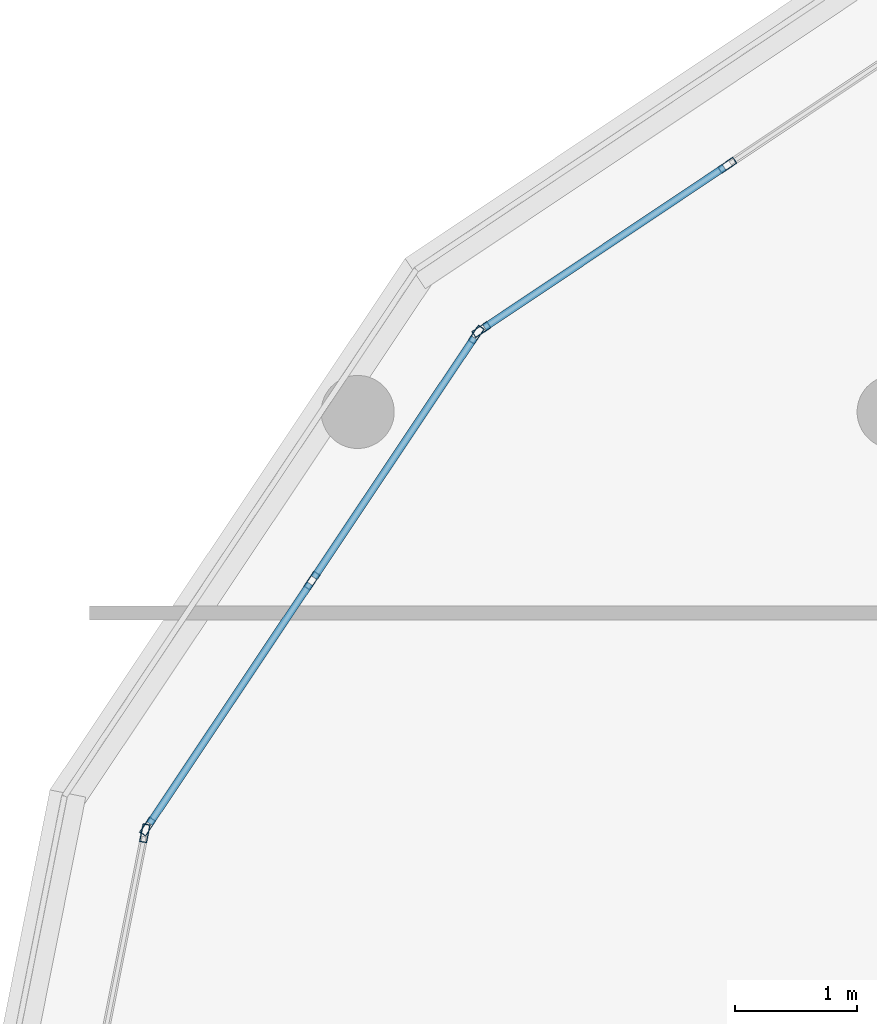
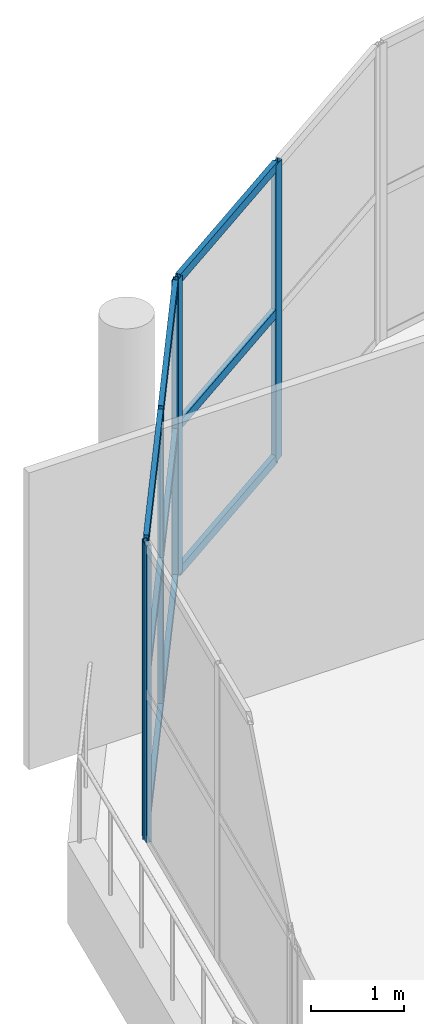
# One storey, part 8 of 63: 15 members, 3 elements without a shape of their own.
"""IFC4 building model written with IfcOpenShell, lengths in metres."""

from ifc_helpers import new_model, si_unit, direction, frame, origin, origin_2d, place, context, subcontext, project, spatial, hollow_rectangle, extrude, material, layer, layer_set, material_profile, profile_set, type_object, element, aggregate, save


model = new_model("IFC4")

# Units and contexts
model_context = context("Model", 3, precision=1e-05, world=origin(), true_north=direction((0.0, 1.0)))
body_context = subcontext(model_context, "Body", "Model", "MODEL_VIEW")
ifc_project = project(units=[si_unit("LENGTHUNIT", "METRE"), si_unit("AREAUNIT", "SQUARE_METRE"), si_unit("VOLUMEUNIT", "CUBIC_METRE"), si_unit("PLANEANGLEUNIT", "RADIAN"), si_unit("MASSUNIT", "GRAM", prefix="KILO")], contexts=[model_context])

# Site, building, storey
site_placement = place(None, origin())
site = spatial("IfcSite", under=ifc_project, at=site_placement, CompositionType="ELEMENT")
building_placement = place(site_placement, origin())
building = spatial("IfcBuilding", under=site, at=building_placement, Name="Zizhar Promenade General Hospital", CompositionType="ELEMENT")
storey_placement = place(building_placement, frame((0.0, 0.0, 18.0)))
storey = spatial("IfcBuildingStorey", under=building, at=storey_placement, Name="L04", CompositionType="ELEMENT", Elevation=18.0)

# Curtain wall, members
ifc_material_1 = material(Name="Anodised aluminium 6063-T6 and low-E glass", Category="aluminium")
ifc_layer = layer(ifc_material_1, 0.159912109375)
ifc_layer_set = layer_set([ifc_layer], Name="Anodised aluminium 6063-T6 and low-E glass")
curtain_wall_type = type_object("IfcCurtainWallType", Name="CW-WARD-ARC", PredefinedType="NOTDEFINED", material=ifc_layer_set)
curtain_wall_1_placement = place(storey_placement, origin())
curtain_wall_1 = element("IfcCurtainWall", 1, at=curtain_wall_1_placement, inside=storey, type_object=curtain_wall_type, Name="Ward Semicircular End Glazing L04-11", PredefinedType="NOTDEFINED")
ifc_material_2 = material(Name="Anodised aluminium 6063-T6", Category="aluminium")
ifc_material_profile_1 = material_profile(ifc_material_2, hollow_rectangle(XDim=0.06005859375, YDim=0.14990234375, WallThickness=0.00390625, at=origin_2d()))
ifc_profile_set_1 = profile_set([ifc_material_profile_1], Name="Anodised aluminium 6063-T6")
member_type_1 = type_object("IfcMemberType", Name="CWM-ALU-150x60", PredefinedType="MULLION", material=ifc_profile_set_1)
member_1_placement = place(storey_placement, frame((19.3154296875, 21.526123046875, 0.0), z_axis=(0.0, 0.0, 1.0), x_axis=(-0.555582352095, 0.831461514468, 0.0)))
member_1 = element("IfcMember", 2, at=member_1_placement, type_object=member_type_1, Name="CW-12 mullion 1", PredefinedType="MULLION", context=body_context, shape_type="SweptSolid", body=[
    extrude(hollow_rectangle(XDim=0.06005859375, YDim=0.14990234375, WallThickness=0.00390625, at=origin_2d()), origin(), (0.0, 0.0, 1.0), 3.89990234375),
])
member_2_placement = place(storey_placement, frame((21.334228515625, 22.875244140625, 0.0), z_axis=(0.0, 0.0, 1.0), x_axis=(-0.555582352095, 0.831461514468, 0.0)))
member_2 = element("IfcMember", 3, at=member_2_placement, type_object=member_type_1, Name="CW-12 mullion 2", PredefinedType="MULLION", context=body_context, shape_type="SweptSolid", body=[
    extrude(hollow_rectangle(XDim=0.06005859375, YDim=0.14990234375, WallThickness=0.00390625, at=origin_2d()), origin(), (0.0, 0.0, 1.0), 3.89990234375),
])

curtain_wall_2_placement = place(storey_placement, origin())
curtain_wall_2 = element("IfcCurtainWall", 4, at=curtain_wall_2_placement, inside=storey, type_object=curtain_wall_type, Name="Ward Semicircular End Glazing L04-12", PredefinedType="NOTDEFINED")
member_3_placement = place(storey_placement, frame((16.57568359375, 17.44677734375, 0.0), z_axis=(0.0, 0.0, 1.0), x_axis=(-0.831461514468, 0.555582352095, 0.0)))
member_3 = element("IfcMember", 5, at=member_3_placement, type_object=member_type_1, Name="CW-12 mullion 1", PredefinedType="MULLION", context=body_context, shape_type="SweptSolid", body=[
    extrude(hollow_rectangle(XDim=0.06005859375, YDim=0.14990234375, WallThickness=0.00390625, at=origin_2d()), origin(), (0.0, 0.0, 1.0), 3.89990234375),
])
member_4_placement = place(storey_placement, frame((17.9248046875, 19.465576171875, 0.0), z_axis=(0.0, 0.0, 1.0), x_axis=(-0.831461514468, 0.555582352095, 0.0)))
member_4 = element("IfcMember", 6, at=member_4_placement, type_object=member_type_1, Name="CW-12 mullion 2", PredefinedType="MULLION", context=body_context, shape_type="SweptSolid", body=[
    extrude(hollow_rectangle(XDim=0.06005859375, YDim=0.14990234375, WallThickness=0.00390625, at=origin_2d()), origin(), (0.0, 0.0, 1.0), 3.89990234375),
])
member_5_placement = place(storey_placement, frame((19.27392578125, 21.484619140625, 0.0), z_axis=(0.0, 0.0, 1.0), x_axis=(-0.831461514468, 0.555582352095, 0.0)))
member_5 = element("IfcMember", 7, at=member_5_placement, type_object=member_type_1, Name="CW-12 mullion 3", PredefinedType="MULLION", context=body_context, shape_type="SweptSolid", body=[
    extrude(hollow_rectangle(XDim=0.06005859375, YDim=0.14990234375, WallThickness=0.00390625, at=origin_2d()), origin(), (0.0, 0.0, 1.0), 3.89990234375),
])

# Curtain wall, member
curtain_wall_3_placement = place(storey_placement, origin())
curtain_wall_3 = element("IfcCurtainWall", 8, at=curtain_wall_3_placement, inside=storey, type_object=curtain_wall_type, Name="Ward Semicircular End Glazing L04-13", PredefinedType="NOTDEFINED")
member_6_placement = place(storey_placement, frame((16.55322265625, 17.392333984375, 0.0), z_axis=(0.0, 0.0, 1.0), x_axis=(-0.980785889615, 0.195087259275, 0.0)))
member_6 = element("IfcMember", 9, at=member_6_placement, type_object=member_type_1, Name="CW-12 mullion 3", PredefinedType="MULLION", context=body_context, shape_type="SweptSolid", body=[
    extrude(hollow_rectangle(XDim=0.06005859375, YDim=0.14990234375, WallThickness=0.00390625, at=origin_2d()), origin(), (0.0, 0.0, 1.0), 3.89990234375),
])
aggregate(curtain_wall_3, [member_6])

# Member
ifc_material_3 = material(Name="Anodised aluminium 6063-T6", Category="aluminium")
ifc_material_profile_2 = material_profile(ifc_material_3, hollow_rectangle(XDim=0.06005859375, YDim=0.1201171875, WallThickness=0.00390625, at=origin_2d()))
ifc_profile_set_2 = profile_set([ifc_material_profile_2], Name="Anodised aluminium 6063-T6")
member_type_2 = type_object("IfcMemberType", Name="CWT-ALU-120x60", PredefinedType="USERDEFINED", material=ifc_profile_set_2)
member_7_placement = place(storey_placement, frame((19.34033203125, 21.542724609375, 0.030029296875), z_axis=(0.831415354375, 0.555651427164, 0.0), x_axis=(-0.555651427164, 0.831415354375, 0.0)))
member_7 = element("IfcMember", 10, at=member_7_placement, type_object=member_type_2, Name="CW-12 transom 1.1", ObjectType="TRANSOM", PredefinedType="USERDEFINED", context=body_context, shape_type="SweptSolid", body=[
    extrude(hollow_rectangle(XDim=0.06005859375, YDim=0.1201171875, WallThickness=0.00390625, at=origin_2d()), origin(), (0.0, 0.0, 1.0), 2.3681640625),
])

member_8_placement = place(storey_placement, frame((19.34033203125, 21.542724609375, 1.949951171875), z_axis=(0.831415354375, 0.555651427164, 0.0), x_axis=(-0.555651427164, 0.831415354375, 0.0)))
member_8 = element("IfcMember", 11, at=member_8_placement, type_object=member_type_2, Name="CW-12 transom 1.2", ObjectType="TRANSOM", PredefinedType="USERDEFINED", context=body_context, shape_type="SweptSolid", body=[
    extrude(hollow_rectangle(XDim=0.06005859375, YDim=0.1201171875, WallThickness=0.00390625, at=origin_2d()), origin(), (0.0, 0.0, 1.0), 2.3681640625),
])

member_9_placement = place(storey_placement, frame((19.34033203125, 21.542724609375, 3.8701171875), z_axis=(0.831415354375, 0.555651427164, 0.0), x_axis=(-0.555651427164, 0.831415354375, 0.0)))
member_9 = element("IfcMember", 12, at=member_9_placement, type_object=member_type_2, Name="CW-12 transom 1.3", ObjectType="TRANSOM", PredefinedType="USERDEFINED", context=body_context, shape_type="SweptSolid", body=[
    extrude(hollow_rectangle(XDim=0.06005859375, YDim=0.1201171875, WallThickness=0.00390625, at=origin_2d()), origin(), (0.0, 0.0, 1.0), 2.3681640625),
])

aggregate(curtain_wall_1, [member_1, member_2, member_7, member_8, member_9])

member_10_placement = place(storey_placement, frame((16.592529296875, 17.4716796875, 0.030029296875), z_axis=(0.555580160396, 0.831462978956, 0.0), x_axis=(-0.831462978956, 0.555580160396, 0.0)))
member_10 = element("IfcMember", 13, at=member_10_placement, type_object=member_type_2, Name="CW-12 transom 1.1", ObjectType="TRANSOM", PredefinedType="USERDEFINED", context=body_context, shape_type="SweptSolid", body=[
    extrude(hollow_rectangle(XDim=0.06005859375, YDim=0.1201171875, WallThickness=0.00390625, at=origin_2d()), origin(), (0.0, 0.0, 1.0), 2.3681640625),
])

member_11_placement = place(storey_placement, frame((16.592529296875, 17.4716796875, 1.949951171875), z_axis=(0.555580160396, 0.831462978956, 0.0), x_axis=(-0.831462978956, 0.555580160396, 0.0)))
member_11 = element("IfcMember", 14, at=member_11_placement, type_object=member_type_2, Name="CW-12 transom 1.2", ObjectType="TRANSOM", PredefinedType="USERDEFINED", context=body_context, shape_type="SweptSolid", body=[
    extrude(hollow_rectangle(XDim=0.06005859375, YDim=0.1201171875, WallThickness=0.00390625, at=origin_2d()), origin(), (0.0, 0.0, 1.0), 2.3681640625),
])

member_12_placement = place(storey_placement, frame((16.592529296875, 17.4716796875, 3.8701171875), z_axis=(0.555580160396, 0.831462978956, 0.0), x_axis=(-0.831462978956, 0.555580160396, 0.0)))
member_12 = element("IfcMember", 15, at=member_12_placement, type_object=member_type_2, Name="CW-12 transom 1.3", ObjectType="TRANSOM", PredefinedType="USERDEFINED", context=body_context, shape_type="SweptSolid", body=[
    extrude(hollow_rectangle(XDim=0.06005859375, YDim=0.1201171875, WallThickness=0.00390625, at=origin_2d()), origin(), (0.0, 0.0, 1.0), 2.3681640625),
])

member_13_placement = place(storey_placement, frame((17.94140625, 19.490478515625, 0.030029296875), z_axis=(0.555532539312, 0.831494797197, 0.0), x_axis=(-0.831494797197, 0.555532539312, 0.0)))
member_13 = element("IfcMember", 16, at=member_13_placement, type_object=member_type_2, Name="CW-12 transom 2.1", ObjectType="TRANSOM", PredefinedType="USERDEFINED", context=body_context, shape_type="SweptSolid", body=[
    extrude(hollow_rectangle(XDim=0.06005859375, YDim=0.1201171875, WallThickness=0.00390625, at=origin_2d()), origin(), (0.0, 0.0, 1.0), 2.368408203125),
])

member_14_placement = place(storey_placement, frame((17.94140625, 19.490478515625, 1.949951171875), z_axis=(0.555532539312, 0.831494797197, 0.0), x_axis=(-0.831494797197, 0.555532539312, 0.0)))
member_14 = element("IfcMember", 17, at=member_14_placement, type_object=member_type_2, Name="CW-12 transom 2.2", ObjectType="TRANSOM", PredefinedType="USERDEFINED", context=body_context, shape_type="SweptSolid", body=[
    extrude(hollow_rectangle(XDim=0.06005859375, YDim=0.1201171875, WallThickness=0.00390625, at=origin_2d()), origin(), (0.0, 0.0, 1.0), 2.368408203125),
])

member_15_placement = place(storey_placement, frame((17.94140625, 19.490478515625, 3.8701171875), z_axis=(0.555532539312, 0.831494797197, 0.0), x_axis=(-0.831494797197, 0.555532539312, 0.0)))
member_15 = element("IfcMember", 18, at=member_15_placement, type_object=member_type_2, Name="CW-12 transom 2.3", ObjectType="TRANSOM", PredefinedType="USERDEFINED", context=body_context, shape_type="SweptSolid", body=[
    extrude(hollow_rectangle(XDim=0.06005859375, YDim=0.1201171875, WallThickness=0.00390625, at=origin_2d()), origin(), (0.0, 0.0, 1.0), 2.368408203125),
])

aggregate(curtain_wall_2, [member_3, member_4, member_5, member_10, member_11, member_12, member_13, member_14, member_15])

save(model, "model.ifc")
